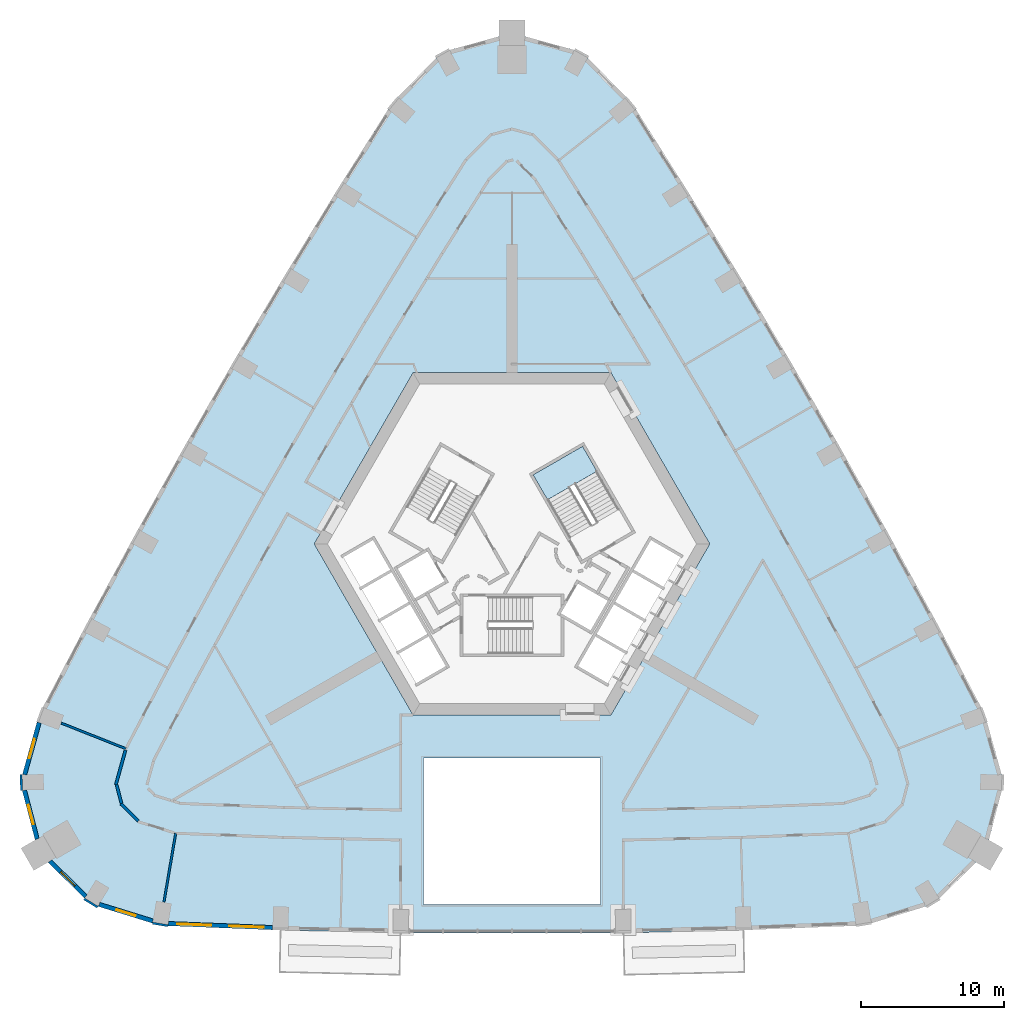
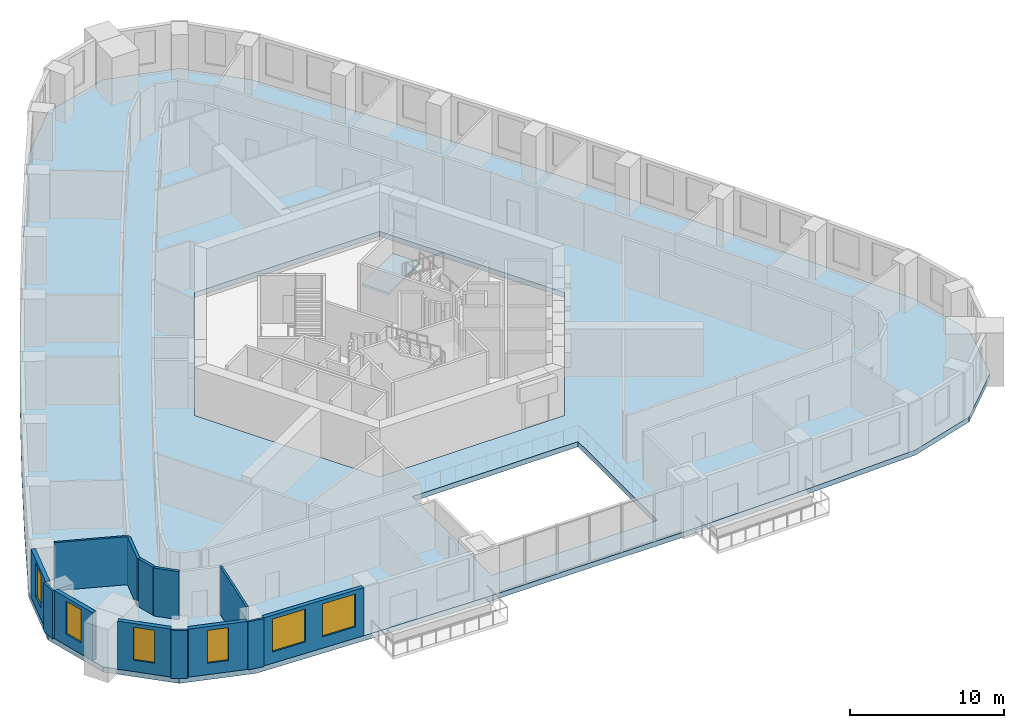
# One storey, part 3 of 12: 13 walls, 6 windows, 2 slabs, 6 openings, 1 element without a shape of its own.
"""IFC4 building model written with IfcOpenShell, lengths in metres."""

from ifc_helpers import new_model, si_unit, direction, frame, frame_2d, origin, place, context, subcontext, project, spatial, polyline, rectangle, outline, extrude, material, layer, layer_set, type_object, element, fill, aggregate, save


model = new_model("IFC4")

# Units and contexts
model_context = context("Model", 3, precision=1e-05, world=origin(), true_north=direction((0.0, 1.0)))
body_context = subcontext(model_context, "Body", "Model", "MODEL_VIEW")
ifc_project = project(units=[si_unit("LENGTHUNIT", "METRE"), si_unit("AREAUNIT", "SQUARE_METRE"), si_unit("VOLUMEUNIT", "CUBIC_METRE"), si_unit("PLANEANGLEUNIT", "RADIAN"), si_unit("MASSUNIT", "GRAM", prefix="KILO")], contexts=[model_context])

# Site, building, storey
site_placement = place(None, origin())
site = spatial("IfcSite", under=ifc_project, at=site_placement, CompositionType="ELEMENT")
building_placement = place(site_placement, origin())
building = spatial("IfcBuilding", under=site, at=building_placement, Name="Entoto Arch Interchange Tower", CompositionType="ELEMENT")
storey_placement = place(building_placement, frame((0.0, 0.0, 155.0)))
storey = spatial("IfcBuildingStorey", under=building, at=storey_placement, Name="L34", CompositionType="ELEMENT", Elevation=155.0)

# Stair, slab
ifc_material_1 = material(Name="Concrete C40/50", Category="concrete")
stair_type = type_object("IfcStairType", Name="EXIT STAIR RC 1800", PredefinedType="HALF_TURN_STAIR", material=ifc_material_1)
stair_placement = place(storey_placement, origin())
stair = element("IfcStair", 1, at=stair_placement, inside=storey, type_object=stair_type, Name="L34 Exit stair NE", PredefinedType="HALF_TURN_STAIR")
ifc_layer_1 = layer(ifc_material_1, 0.199951171875)
ifc_layer_set_1 = layer_set([ifc_layer_1], Name="Concrete C40/50")
slab_type_1 = type_object("IfcSlabType", Name="EXIT STAIR LANDING RC 200", PredefinedType="LANDING", material=ifc_layer_set_1)
slab_1_placement = place(storey_placement, frame((0.0, 0.0, 1.89990234375)))
slab_1 = element("IfcSlab", 2, at=slab_1_placement, type_object=slab_type_1, Name="ST-NE landing 1", PredefinedType="LANDING", context=body_context, shape_type="SweptSolid", body=[
    extrude(outline(polyline([(5.953369140625, 7.58837890625), (4.943359375, 9.337890625), (1.479248046875, 7.337890625), (2.4892578125, 5.58837890625), (5.953369140625, 7.58837890625)])), origin(), (0.0, 0.0, 1.0), 0.2001953125),
])
aggregate(stair, [slab_1])

# Slab
ifc_layer_2 = layer(ifc_material_1, 0.39990234375)
ifc_layer_set_2 = layer_set([ifc_layer_2], Name="Concrete C40/50")
slab_type_2 = type_object("IfcSlabType", Name="Post-tensioned flat plate 400 C40/50", PredefinedType="FLOOR", material=ifc_layer_set_2)
slab_2_placement = place(storey_placement, frame((0.0, 0.0, -0.39990234375)))
element("IfcSlab", 3, at=slab_2_placement, inside=storey, type_object=slab_type_2, Name="Floor slab L34", PredefinedType="FLOOR", context=body_context, shape_type="SweptSolid", body=[
    extrude(outline(polyline([(-24.6689453125, -24.241943359375), (-16.23388671875, -24.56591796875), (-7.800048828125, -24.757080078125), (7.800048828125, -24.757080078125), (16.23388671875, -24.56591796875), (24.6689453125, -24.241943359375), (29.551025390625, -22.735107421875), (33.179931640625, -19.156005859375), (34.465087890625, -14.22412109375), (33.135986328125, -9.446044921875), (29.827880859375, -3.14794921875), (26.4619140625, 3.055908203125), (23.014892578125, 9.214111328125), (19.486083984375, 15.324951171875), (15.876953125, 21.388916015625), (12.18798828125, 27.405029296875), (8.386962890625, 33.419921875), (4.9140625, 36.958984375), (0.0, 38.31201171875), (-4.9140625, 36.958984375), (-8.386962890625, 33.419921875), (-12.18798828125, 27.405029296875), (-15.876953125, 21.388916015625), (-19.486083984375, 15.324951171875), (-23.014892578125, 9.214111328125), (-26.4619140625, 3.055908203125), (-29.827880859375, -3.14794921875), (-33.135986328125, -9.446044921875), (-34.465087890625, -14.22412109375), (-33.179931640625, -19.156005859375), (-29.551025390625, -22.735107421875), (-24.6689453125, -24.241943359375)]), holes=[polyline([(6.199951171875, -22.757080078125), (6.199951171875, -12.5), (-6.199951171875, -12.5), (-6.199951171875, -22.757080078125), (6.199951171875, -22.757080078125)]), polyline([(13.85595703125, 2.5), (6.927978515625, 14.5), (-6.927978515625, 14.5), (-13.85595703125, 2.5), (-6.927978515625, -9.5), (6.927978515625, -9.5), (13.85595703125, 2.5)])]), origin(), (0.0, 0.0, 1.0), 0.39990234375),
])

# Walls
ifc_material_2 = material(Name="Gypsum board partition on steel studs", Category="steel")
ifc_layer_3 = layer(ifc_material_2, 0.14990234375)
ifc_layer_set_3 = layer_set([ifc_layer_3], Name="Gypsum board partition on steel studs")
wall_type_1 = type_object("IfcWallType", Name="PARTITION 150", PredefinedType="PARTITIONING", material=ifc_layer_set_3)
wall_1_placement = place(storey_placement, frame((-27.05908203125, -11.85498046875, 0.0), z_axis=(0.0, 0.0, 1.0), x_axis=(-0.92964843089, 0.368447818481, 0.0)))
element("IfcWall", 4, at=wall_1_placement, inside=storey, type_object=wall_type_1, Name="wall:L34:p136", PredefinedType="PARTITIONING", context=body_context, shape_type="SweptSolid", body=[
    extrude(rectangle(XDim=4.8662109375, YDim=0.14990234375, at=frame_2d((2.43310546875, 0.0))), origin(), (0.0, 0.0, 1.0), 3.800048828125),
])
wall_2_placement = place(storey_placement, frame((-23.56689453125, -17.779052734375, 0.0), z_axis=(0.0, 0.0, 1.0), x_axis=(-0.168027663896, -0.985782280306, 0.0)))
element("IfcWall", 5, at=wall_2_placement, inside=storey, type_object=wall_type_1, Name="wall:L34:p137", PredefinedType="PARTITIONING", context=body_context, shape_type="SweptSolid", body=[
    extrude(rectangle(XDim=4.886474609375, YDim=0.14990234375, at=frame_2d((2.443359375, 0.0))), origin(), (0.0, 0.0, 1.0), 3.800048828125),
])
ifc_layer_4 = layer(ifc_material_2, 0.199951171875)
ifc_layer_set_4 = layer_set([ifc_layer_4], Name="Gypsum board partition on steel studs")
wall_type_2 = type_object("IfcWallType", Name="PARTITION 200", PredefinedType="PARTITIONING", material=ifc_layer_set_4)
wall_3_placement = place(storey_placement, frame((-26.18798828125, -16.922119140625, 0.0), z_axis=(0.0, 0.0, 1.0), x_axis=(-0.712339678389, 0.701834868465, 0.0)))
element("IfcWall", 6, at=wall_3_placement, inside=storey, type_object=wall_type_2, Name="wall:L34:p068", PredefinedType="PARTITIONING", context=body_context, shape_type="SweptSolid", body=[
    extrude(rectangle(XDim=1.7197265625, YDim=0.199951171875, at=frame_2d((0.85986328125, 0.0))), origin(), (0.0, 0.0, 1.0), 3.800048828125),
])
wall_4_placement = place(storey_placement, frame((-27.366943359375, -15.68798828125, 0.0), z_axis=(0.0, 0.0, 1.0), x_axis=(-0.25159336549, 0.967833032316, 0.0)))
element("IfcWall", 7, at=wall_4_placement, inside=storey, type_object=wall_type_2, Name="wall:L34:p069", PredefinedType="PARTITIONING", context=body_context, shape_type="SweptSolid", body=[
    extrude(rectangle(XDim=1.355712890625, YDim=0.199951171875, at=frame_2d((0.677734375, 0.0))), origin(), (0.0, 0.0, 1.0), 3.800048828125),
])
wall_5_placement = place(storey_placement, frame((-27.760009765625, -14.3759765625, 0.0), z_axis=(0.0, 0.0, 1.0), x_axis=(0.267909096687, 0.963444194498, 0.0)))
element("IfcWall", 8, at=wall_5_placement, inside=storey, type_object=wall_type_2, Name="wall:L34:p070", PredefinedType="PARTITIONING", context=body_context, shape_type="SweptSolid", body=[
    extrude(rectangle(XDim=2.51611328125, YDim=0.199951171875, at=frame_2d((1.258056640625, 0.0))), origin(), (0.0, 0.0, 1.0), 3.800048828125),
])

# Wall, openings, windows
ifc_material_3 = material(Name="Welded tuff (ignimbrite) cladding, warm buff", Category="masonry")
ifc_layer_5 = layer(ifc_material_3, 0.300048828125)
ifc_layer_set_5 = layer_set([ifc_layer_5], Name="Welded tuff (ignimbrite) cladding, warm buff")
wall_type_3 = type_object("IfcWallType", Name="STONE INFILL WALL 300", PredefinedType="STANDARD", material=ifc_layer_set_5)
wall_6_placement = place(storey_placement, frame((-24.090087890625, -24.114013671875, 0.0), z_axis=(0.0, 0.0, 1.0), x_axis=(0.999262356942, -0.038402369711, 0.0)))
wall_6 = element("IfcWall", 9, at=wall_6_placement, inside=storey, type_object=wall_type_3, Name="Facade wall S-01 L34", PredefinedType="STANDARD", context=body_context, shape_type="SweptSolid", body=[
    extrude(rectangle(XDim=7.3173828125, YDim=0.300048828125, at=frame_2d((3.65869140625, 0.0))), origin(), (0.0, 0.0, 1.0), 3.800048828125),
])
opening_1_placement = place(wall_6_placement, frame((0.62890625, 0.0, 0.89990234375)))
opening_1 = element("IfcOpeningElement", 10, at=opening_1_placement, cuts=wall_6, Name="Opening WO-A", PredefinedType="OPENING", context=body_context, shape_type="SweptSolid", body=[
    extrude(rectangle(XDim=2.39990234375, YDim=2.60009765625, at=frame_2d((1.199951171875, 1.300048828125))), frame((0.0, 0.16015625, 0.0), z_axis=(0.0, -1.0, 0.0), x_axis=(1.0, 0.0, 0.0)), (0.0, 0.0, 1.0), 0.320068359375),
])
opening_2_placement = place(wall_6_placement, frame((4.2880859375, 0.0, 0.89990234375)))
opening_2 = element("IfcOpeningElement", 11, at=opening_2_placement, cuts=wall_6, Name="Opening WO-A", PredefinedType="OPENING", context=body_context, shape_type="SweptSolid", body=[
    extrude(rectangle(XDim=2.39990234375, YDim=2.60009765625, at=frame_2d((1.199951171875, 1.300048828125))), frame((0.0, 0.16015625, 0.0), z_axis=(0.0, -1.0, 0.0), x_axis=(1.0, 0.0, 0.0)), (0.0, 0.0, 1.0), 0.320068359375),
])
ifc_material_4 = material(Name="Clear glass, low-e double glazed", Category="glass")
window_type_1 = type_object("IfcWindowType", Name="WINDOW WO-A 2400x2600", PartitioningType="DOUBLE_PANEL_VERTICAL", PredefinedType="WINDOW", material=ifc_material_4)
window_1_placement = place(opening_1_placement, origin())
window_1 = element("IfcWindow", 12, at=window_1_placement, inside=storey, type_object=window_type_1, Name="Window WO-A S-01 L34", OverallHeight=2.60009765625, OverallWidth=2.39990234375, PartitioningType="SINGLE_PANEL", PredefinedType="WINDOW", context=body_context, shape_type="SweptSolid", body=[
    extrude(rectangle(XDim=2.39990234375, YDim=2.60009765625, at=frame_2d((1.199951171875, 1.300048828125))), frame((0.0, 0.030029296875, 0.0), z_axis=(0.0, -1.0, 0.0), x_axis=(1.0, 0.0, 0.0)), (0.0, 0.0, 1.0), 0.06005859375),
])
fill(opening_1, window_1)
window_2_placement = place(opening_2_placement, origin())
window_2 = element("IfcWindow", 13, at=window_2_placement, inside=storey, type_object=window_type_1, Name="Window WO-A S-01 L34", OverallHeight=2.60009765625, OverallWidth=2.39990234375, PartitioningType="SINGLE_PANEL", PredefinedType="WINDOW", context=body_context, shape_type="SweptSolid", body=[
    extrude(rectangle(XDim=2.39990234375, YDim=2.60009765625, at=frame_2d((1.199951171875, 1.300048828125))), frame((0.0, 0.030029296875, 0.0), z_axis=(0.0, -1.0, 0.0), x_axis=(1.0, 0.0, 0.0)), (0.0, 0.0, 1.0), 0.06005859375),
])
fill(opening_2, window_2)

# Wall, opening, window
wall_7_placement = place(storey_placement, frame((-33.14208984375, -10.029052734375, 0.0), z_axis=(0.0, 0.0, 1.0), x_axis=(-0.26799398221, -0.963420585985, 0.0)))
wall_7 = element("IfcWall", 14, at=wall_7_placement, inside=storey, type_object=wall_type_3, Name="Facade wall SW-01 L34", PredefinedType="STANDARD", context=body_context, shape_type="SweptSolid", body=[
    extrude(rectangle(XDim=3.776123046875, YDim=0.300048828125, at=frame_2d((1.88818359375, 0.0))), origin(), (0.0, 0.0, 1.0), 3.800048828125),
])
opening_3_placement = place(wall_7_placement, frame((1.18798828125, 0.0, 0.89990234375)))
opening_3 = element("IfcOpeningElement", 15, at=opening_3_placement, cuts=wall_7, Name="Opening WO-B", PredefinedType="OPENING", context=body_context, shape_type="SweptSolid", body=[
    extrude(rectangle(XDim=1.39990234375, YDim=2.60009765625, at=frame_2d((0.699951171875, 1.300048828125))), frame((0.0, 0.16015625, 0.0), z_axis=(0.0, -1.0, 0.0), x_axis=(1.0, 0.0, 0.0)), (0.0, 0.0, 1.0), 0.320068359375),
])
window_type_2 = type_object("IfcWindowType", Name="WINDOW WO-B 1400x2600", PartitioningType="DOUBLE_PANEL_VERTICAL", PredefinedType="WINDOW", material=ifc_material_4)
window_3_placement = place(opening_3_placement, origin())
window_3 = element("IfcWindow", 16, at=window_3_placement, inside=storey, type_object=window_type_2, Name="Window WO-B SW-01 L34", OverallHeight=2.60009765625, OverallWidth=1.39990234375, PartitioningType="SINGLE_PANEL", PredefinedType="WINDOW", context=body_context, shape_type="SweptSolid", body=[
    extrude(rectangle(XDim=1.39990234375, YDim=2.60009765625, at=frame_2d((0.699951171875, 1.300048828125))), frame((0.0, 0.030029296875, 0.0), z_axis=(0.0, -1.0, 0.0), x_axis=(1.0, 0.0, 0.0)), (0.0, 0.0, 1.0), 0.06005859375),
])
fill(opening_3, window_3)

wall_8_placement = place(storey_placement, frame((-34.1689453125, -14.76611328125, 0.0), z_axis=(0.0, 0.0, 1.0), x_axis=(0.252255494168, -0.967660666588, 0.0)))
wall_8 = element("IfcWall", 17, at=wall_8_placement, inside=storey, type_object=wall_type_3, Name="Facade wall SW-02 L34", PredefinedType="STANDARD", context=body_context, shape_type="SweptSolid", body=[
    extrude(rectangle(XDim=3.52392578125, YDim=0.300048828125, at=frame_2d((1.761962890625, 0.0))), origin(), (0.0, 0.0, 1.0), 3.800048828125),
])
opening_4_placement = place(wall_8_placement, frame((1.06201171875, 0.0, 0.89990234375)))
opening_4 = element("IfcOpeningElement", 18, at=opening_4_placement, cuts=wall_8, Name="Opening WO-B", PredefinedType="OPENING", context=body_context, shape_type="SweptSolid", body=[
    extrude(rectangle(XDim=1.39990234375, YDim=2.60009765625, at=frame_2d((0.699951171875, 1.300048828125))), frame((0.0, 0.16015625, 0.0), z_axis=(0.0, -1.0, 0.0), x_axis=(1.0, 0.0, 0.0)), (0.0, 0.0, 1.0), 0.320068359375),
])
window_4_placement = place(opening_4_placement, origin())
window_4 = element("IfcWindow", 19, at=window_4_placement, inside=storey, type_object=window_type_2, Name="Window WO-B SW-02 L34", OverallHeight=2.60009765625, OverallWidth=1.39990234375, PartitioningType="SINGLE_PANEL", PredefinedType="WINDOW", context=body_context, shape_type="SweptSolid", body=[
    extrude(rectangle(XDim=1.39990234375, YDim=2.60009765625, at=frame_2d((0.699951171875, 1.300048828125))), frame((0.0, 0.030029296875, 0.0), z_axis=(0.0, -1.0, 0.0), x_axis=(1.0, 0.0, 0.0)), (0.0, 0.0, 1.0), 0.06005859375),
])
fill(opening_4, window_4)

wall_9_placement = place(storey_placement, frame((-32.381103515625, -19.73291015625, 0.0), z_axis=(0.0, 0.0, 1.0), x_axis=(0.712043314899, -0.702135540838, 0.0)))
wall_9 = element("IfcWall", 20, at=wall_9_placement, inside=storey, type_object=wall_type_3, Name="Facade wall SW-03 L34", PredefinedType="STANDARD", context=body_context, shape_type="SweptSolid", body=[
    extrude(rectangle(XDim=3.523681640625, YDim=0.300048828125, at=frame_2d((1.76171875, 0.0))), origin(), (0.0, 0.0, 1.0), 3.800048828125),
])
opening_5_placement = place(wall_9_placement, frame((1.06201171875, 0.0, 0.89990234375)))
opening_5 = element("IfcOpeningElement", 21, at=opening_5_placement, cuts=wall_9, Name="Opening WO-B", PredefinedType="OPENING", context=body_context, shape_type="SweptSolid", body=[
    extrude(rectangle(XDim=1.39990234375, YDim=2.60009765625, at=frame_2d((0.699951171875, 1.300048828125))), frame((0.0, 0.16015625, 0.0), z_axis=(0.0, -1.0, 0.0), x_axis=(1.0, 0.0, 0.0)), (0.0, 0.0, 1.0), 0.320068359375),
])
window_5_placement = place(opening_5_placement, origin())
window_5 = element("IfcWindow", 22, at=window_5_placement, inside=storey, type_object=window_type_2, Name="Window WO-B SW-03 L34", OverallHeight=2.60009765625, OverallWidth=1.39990234375, PartitioningType="SINGLE_PANEL", PredefinedType="WINDOW", context=body_context, shape_type="SweptSolid", body=[
    extrude(rectangle(XDim=1.39990234375, YDim=2.60009765625, at=frame_2d((0.699951171875, 1.300048828125))), frame((0.0, 0.030029296875, 0.0), z_axis=(0.0, -1.0, 0.0), x_axis=(1.0, 0.0, 0.0)), (0.0, 0.0, 1.0), 0.06005859375),
])
fill(opening_5, window_5)

wall_10_placement = place(storey_placement, frame((-28.928955078125, -22.77001953125, 0.0), z_axis=(0.0, 0.0, 1.0), x_axis=(0.955473661147, -0.295076401723, 0.0)))
wall_10 = element("IfcWall", 23, at=wall_10_placement, inside=storey, type_object=wall_type_3, Name="Facade wall SW-04 L34", PredefinedType="STANDARD", context=body_context, shape_type="SweptSolid", body=[
    extrude(rectangle(XDim=3.930908203125, YDim=0.300048828125, at=frame_2d((1.96533203125, 0.0))), origin(), (0.0, 0.0, 1.0), 3.800048828125),
])
opening_6_placement = place(wall_10_placement, frame((1.26611328125, 0.0, 0.89990234375)))
opening_6 = element("IfcOpeningElement", 24, at=opening_6_placement, cuts=wall_10, Name="Opening WO-B", PredefinedType="OPENING", context=body_context, shape_type="SweptSolid", body=[
    extrude(rectangle(XDim=1.39990234375, YDim=2.60009765625, at=frame_2d((0.699951171875, 1.300048828125))), frame((0.0, 0.16015625, 0.0), z_axis=(0.0, -1.0, 0.0), x_axis=(1.0, 0.0, 0.0)), (0.0, 0.0, 1.0), 0.320068359375),
])
window_6_placement = place(opening_6_placement, origin())
window_6 = element("IfcWindow", 25, at=window_6_placement, inside=storey, type_object=window_type_2, Name="Window WO-B SW-04 L34", OverallHeight=2.60009765625, OverallWidth=1.39990234375, PartitioningType="SINGLE_PANEL", PredefinedType="WINDOW", context=body_context, shape_type="SweptSolid", body=[
    extrude(rectangle(XDim=1.39990234375, YDim=2.60009765625, at=frame_2d((0.699951171875, 1.300048828125))), frame((0.0, 0.030029296875, 0.0), z_axis=(0.0, -1.0, 0.0), x_axis=(1.0, 0.0, 0.0)), (0.0, 0.0, 1.0), 0.06005859375),
])
fill(opening_6, window_6)

# Walls
ifc_layer_6 = layer(ifc_material_3, 0.14990234375)
ifc_layer_set_6 = layer_set([ifc_layer_6], Name="Welded tuff (ignimbrite) cladding, warm buff")
wall_type_4 = type_object("IfcWallType", Name="STONE PIER CLADDING 150", PredefinedType="STANDARD", material=ifc_layer_set_6)
wall_11_placement = place(storey_placement, frame((-25.198974609375, -24.075927734375, 0.0), z_axis=(0.0, 0.0, 1.0), x_axis=(0.985763338892, -0.168138751323, 0.0)))
element("IfcWall", 26, at=wall_11_placement, inside=storey, type_object=wall_type_4, Name="Stone pier S01 L34", PredefinedType="STANDARD", context=body_context, shape_type="SweptSolid", body=[
    extrude(rectangle(XDim=1.1005859375, YDim=0.14990234375, at=frame_2d((0.55029296875, 0.0))), origin(), (0.0, 0.0, 1.0), 3.800048828125),
])
wall_12_placement = place(storey_placement, frame((-34.403076171875, -13.672119140625, 0.0), z_axis=(0.0, 0.0, 1.0), x_axis=(0.023744690764, -0.999718055084, 0.0)))
element("IfcWall", 27, at=wall_12_placement, inside=storey, type_object=wall_type_4, Name="Stone pier SW1 L34", PredefinedType="STANDARD", context=body_context, shape_type="SweptSolid", body=[
    extrude(rectangle(XDim=1.10009765625, YDim=0.14990234375, at=frame_2d((0.550048828125, 0.0))), origin(), (0.0, 0.0, 1.0), 3.800048828125),
])
wall_13_placement = place(storey_placement, frame((-29.98095703125, -22.385009765625, 0.0), z_axis=(0.0, 0.0, 1.0), x_axis=(0.854005542721, -0.520263907071, 0.0)))
element("IfcWall", 28, at=wall_13_placement, inside=storey, type_object=wall_type_4, Name="Stone pier SW3 L34", PredefinedType="STANDARD", context=body_context, shape_type="SweptSolid", body=[
    extrude(rectangle(XDim=1.099365234375, YDim=0.14990234375, at=frame_2d((0.5498046875, 0.0))), origin(), (0.0, 0.0, 1.0), 3.800048828125),
])

save(model, "model.ifc")
